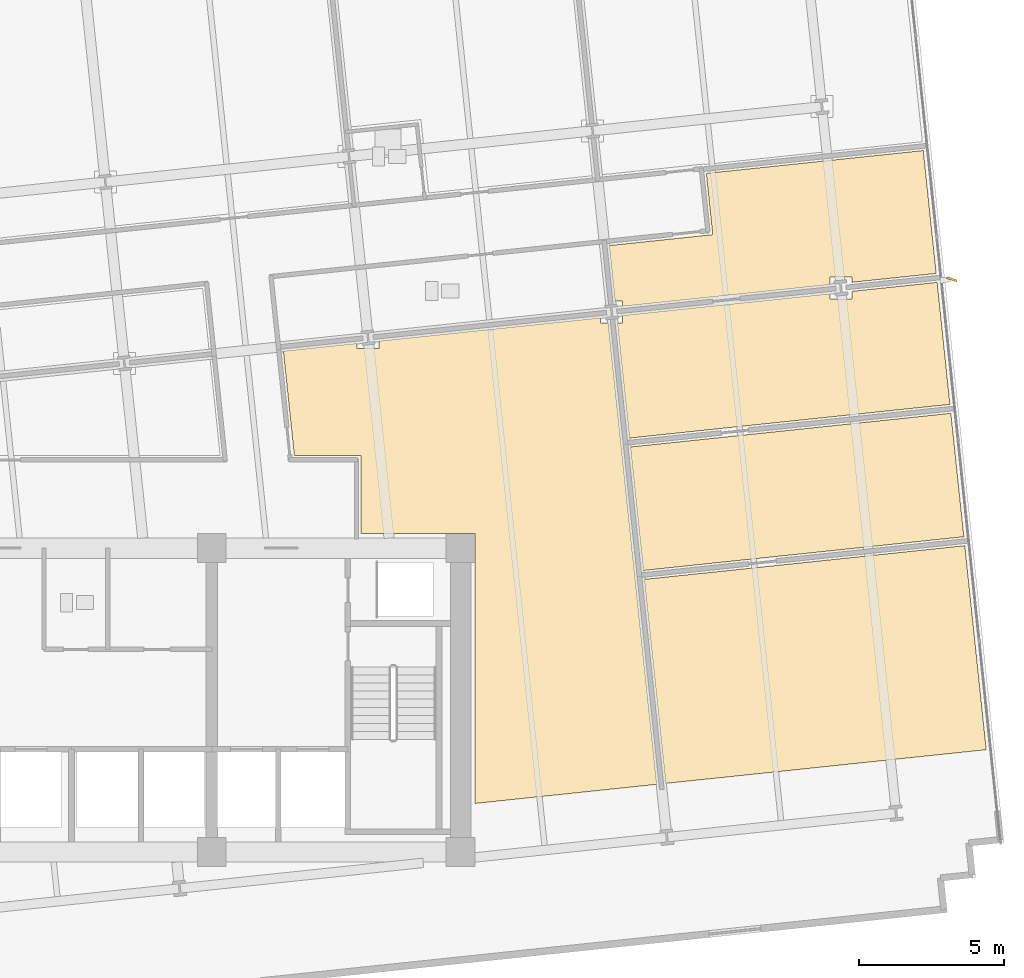
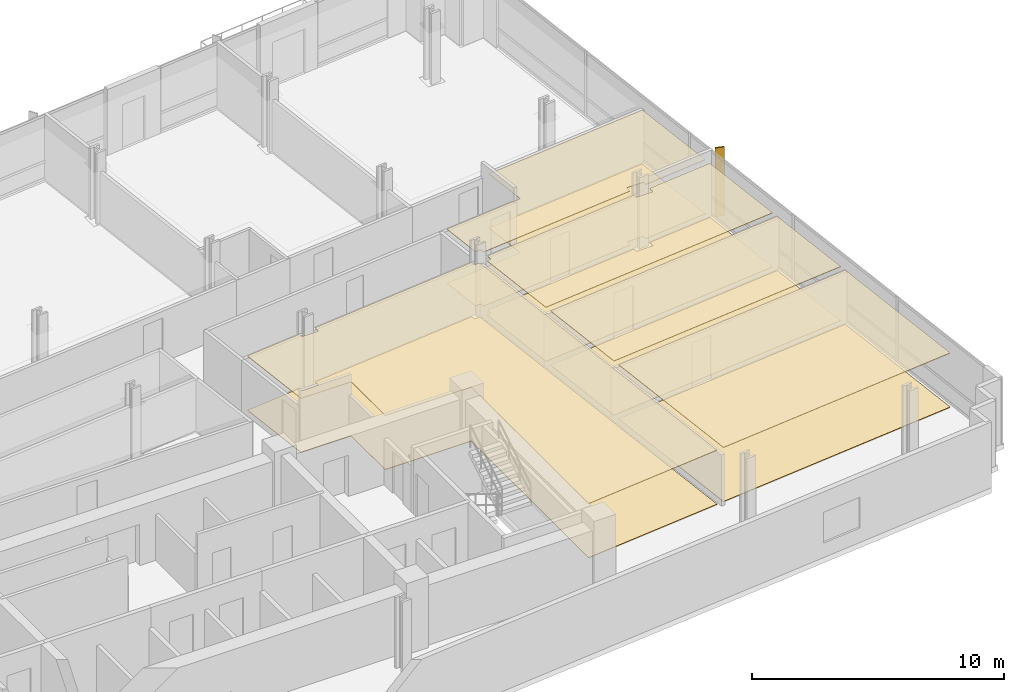
# One storey, part 18 of 21: 10 coverings, 1 shading device.
"""IFC4 building model written with IfcOpenShell, lengths in metres."""

from ifc_helpers import new_model, si_unit, direction, frame, origin, origin_2d, place, context, subcontext, project, spatial, polyline, rectangle, outline, extrude, material, layer, layer_set, type_object, element, save


model = new_model("IFC4")

# Units and contexts
model_context = context("Model", 3, precision=1e-05, world=origin(), true_north=direction((0.0, 1.0)))
body_context = subcontext(model_context, "Body", "Model", "MODEL_VIEW")
ifc_project = project(units=[si_unit("LENGTHUNIT", "METRE"), si_unit("AREAUNIT", "SQUARE_METRE"), si_unit("VOLUMEUNIT", "CUBIC_METRE"), si_unit("PLANEANGLEUNIT", "RADIAN"), si_unit("MASSUNIT", "GRAM", prefix="KILO")], contexts=[model_context])

# Site, building, storey
site_placement = place(None, origin())
site = spatial("IfcSite", under=ifc_project, at=site_placement, CompositionType="ELEMENT")
building_placement = place(site_placement, origin())
building = spatial("IfcBuilding", under=site, at=building_placement, Name="Solmavex Isthmus Hotel", CompositionType="ELEMENT")
storey_placement = place(building_placement, frame((0.0, 0.0, 106.35009765625)))
storey = spatial("IfcBuildingStorey", under=building, at=storey_placement, Name="L28", CompositionType="ELEMENT", Elevation=106.35009765625)

# Coverings
ifc_material_1 = material(Name="Gypsum plasterboard lining", Category="gypsum")
ifc_layer_1 = layer(ifc_material_1, 0.030029296875)
ifc_layer_set_1 = layer_set([ifc_layer_1], Name="Gypsum plasterboard lining")
covering_type_1 = type_object("IfcCoveringType", Name="COV-CEIL-GYP", PredefinedType="CEILING", material=ifc_layer_set_1)
covering_1_placement = place(storey_placement, frame((0.0, 0.0, 2.619873046875)))
element("IfcCovering", 1, at=covering_1_placement, inside=storey, type_object=covering_type_1, Name="Suspended Acoustic Ceiling L28-FL08", PredefinedType="CEILING", context=body_context, shape_type="SweptSolid", body=[
    extrude(outline(polyline([(28.76416015625, 6.607177734375), (28.76416015625, 6.871337890625), (29.524169921875, 6.871337890625), (29.524169921875, 6.68701171875), (32.4345703125, 6.992919921875), (31.98828125, 11.239501953125), (24.49169921875, 10.45166015625), (24.71435546875, 8.333251953125), (21.134033203125, 7.95703125), (21.335693359375, 6.038330078125), (21.599609375, 6.038330078125), (21.599609375, 5.854248046875), (28.76416015625, 6.607177734375)])), origin(), (0.0, 0.0, 1.0), 0.030029296875),
])
covering_2_placement = place(storey_placement, frame((0.0, 0.0, 2.619873046875)))
element("IfcCovering", 2, at=covering_2_placement, inside=storey, type_object=covering_type_1, Name="Suspended Acoustic Ceiling L28-FL10", PredefinedType="CEILING", context=body_context, shape_type="SweptSolid", body=[
    extrude(outline(polyline([(21.599609375, 5.54248046875), (21.599609375, 5.2783203125), (21.41552734375, 5.2783203125), (21.833251953125, 1.3037109375), (32.91015625, 2.4677734375), (32.467041015625, 6.6845703125), (29.524169921875, 6.375244140625), (29.524169921875, 6.111328125), (28.76416015625, 6.111328125), (28.76416015625, 6.29541015625), (21.599609375, 5.54248046875)])), origin(), (0.0, 0.0, 1.0), 0.030029296875),
])
covering_3_placement = place(storey_placement, frame((0.0, 0.0, 2.619873046875)))
element("IfcCovering", 3, at=covering_3_placement, inside=storey, type_object=covering_type_1, Name="Suspended Acoustic Ceiling L28-FL11", PredefinedType="CEILING", context=body_context, shape_type="SweptSolid", body=[
    extrude(outline(polyline([(32.942626953125, 2.15966796875), (21.86572265625, 0.995361328125), (22.314208984375, -3.271240234375), (33.39111328125, -2.10693359375), (32.942626953125, 2.15966796875)])), origin(), (0.0, 0.0, 1.0), 0.030029296875),
])
covering_4_placement = place(storey_placement, frame((0.0, 0.0, 2.619873046875)))
element("IfcCovering", 4, at=covering_4_placement, inside=storey, type_object=covering_type_1, Name="Suspended Acoustic Ceiling L28-FL14", PredefinedType="CEILING", context=body_context, shape_type="SweptSolid", body=[
    extrude(outline(polyline([(33.423583984375, -2.415283203125), (22.346435546875, -3.579345703125), (23.087646484375, -10.630615234375), (34.16455078125, -9.46630859375), (33.423583984375, -2.415283203125)])), origin(), (0.0, 0.0, 1.0), 0.030029296875),
])
covering_5_placement = place(storey_placement, frame((0.0, 0.0, 2.619873046875)))
element("IfcCovering", 5, at=covering_5_placement, inside=storey, type_object=covering_type_1, Name="Suspended Acoustic Ceiling L28-FL15", PredefinedType="CEILING", context=body_context, shape_type="SweptSolid", body=[
    extrude(outline(polyline([(13.18017578125, 4.657470703125), (13.18017578125, 4.393310546875), (12.420166015625, 4.393310546875), (12.420166015625, 4.57763671875), (9.87451171875, 4.31005859375), (10.25341796875, 0.705078125), (12.554931640625, 0.705078125), (12.554931640625, -1.9951171875), (16.5048828125, -1.9951171875), (16.5048828125, -11.322509765625), (22.779296875, -10.6630859375), (21.103759765625, 5.2783203125), (20.83984375, 5.2783203125), (20.83984375, 5.462646484375), (13.18017578125, 4.657470703125)])), origin(), (0.0, 0.0, 1.0), 0.030029296875),
])
ifc_material_2 = material(Name="Travertine natural stone", Category="masonry")
ifc_layer_2 = layer(ifc_material_2, 0.02490234375)
ifc_layer_set_2 = layer_set([ifc_layer_2], Name="Travertine natural stone")
covering_type_2 = type_object("IfcCoveringType", Name="COV-FLOR-STN", PredefinedType="FLOORING", material=ifc_layer_set_2)
covering_6_placement = place(storey_placement, origin())
element("IfcCovering", 6, at=covering_6_placement, inside=storey, type_object=covering_type_2, Name="Stone and Timber Floor Finish L28-FL08", PredefinedType="FLOORING", context=body_context, shape_type="SweptSolid", body=[
    extrude(outline(polyline([(28.76416015625, 6.607177734375), (28.76416015625, 6.871337890625), (29.524169921875, 6.871337890625), (29.524169921875, 6.68701171875), (32.4345703125, 6.992919921875), (31.98828125, 11.239501953125), (24.49169921875, 10.45166015625), (24.71435546875, 8.333251953125), (21.134033203125, 7.95703125), (21.335693359375, 6.038330078125), (21.599609375, 6.038330078125), (21.599609375, 5.854248046875), (28.76416015625, 6.607177734375)])), origin(), (0.0, 0.0, 1.0), 0.02490234375),
])
covering_7_placement = place(storey_placement, origin())
element("IfcCovering", 7, at=covering_7_placement, inside=storey, type_object=covering_type_2, Name="Stone and Timber Floor Finish L28-FL10", PredefinedType="FLOORING", context=body_context, shape_type="SweptSolid", body=[
    extrude(outline(polyline([(21.599609375, 5.54248046875), (21.599609375, 5.2783203125), (21.41552734375, 5.2783203125), (21.833251953125, 1.3037109375), (32.91015625, 2.4677734375), (32.467041015625, 6.6845703125), (29.524169921875, 6.375244140625), (29.524169921875, 6.111328125), (28.76416015625, 6.111328125), (28.76416015625, 6.29541015625), (21.599609375, 5.54248046875)])), origin(), (0.0, 0.0, 1.0), 0.02490234375),
])
covering_8_placement = place(storey_placement, origin())
element("IfcCovering", 8, at=covering_8_placement, inside=storey, type_object=covering_type_2, Name="Stone and Timber Floor Finish L28-FL11", PredefinedType="FLOORING", context=body_context, shape_type="SweptSolid", body=[
    extrude(outline(polyline([(32.942626953125, 2.15966796875), (21.86572265625, 0.995361328125), (22.314208984375, -3.271240234375), (33.39111328125, -2.10693359375), (32.942626953125, 2.15966796875)])), origin(), (0.0, 0.0, 1.0), 0.02490234375),
])
covering_9_placement = place(storey_placement, origin())
element("IfcCovering", 9, at=covering_9_placement, inside=storey, type_object=covering_type_2, Name="Stone and Timber Floor Finish L28-FL14", PredefinedType="FLOORING", context=body_context, shape_type="SweptSolid", body=[
    extrude(outline(polyline([(33.423583984375, -2.415283203125), (22.346435546875, -3.579345703125), (23.087646484375, -10.630615234375), (34.16455078125, -9.46630859375), (33.423583984375, -2.415283203125)])), origin(), (0.0, 0.0, 1.0), 0.02490234375),
])
covering_10_placement = place(storey_placement, origin())
element("IfcCovering", 10, at=covering_10_placement, inside=storey, type_object=covering_type_2, Name="Stone and Timber Floor Finish L28-FL15", PredefinedType="FLOORING", context=body_context, shape_type="SweptSolid", body=[
    extrude(outline(polyline([(13.18017578125, 4.657470703125), (13.18017578125, 4.393310546875), (12.420166015625, 4.393310546875), (12.420166015625, 4.57763671875), (9.87451171875, 4.31005859375), (10.25341796875, 0.705078125), (12.554931640625, 0.705078125), (12.554931640625, -1.9951171875), (16.5048828125, -1.9951171875), (16.5048828125, -11.322509765625), (22.779296875, -10.6630859375), (21.103759765625, 5.2783203125), (20.83984375, 5.2783203125), (20.83984375, 5.462646484375), (13.18017578125, 4.657470703125)])), origin(), (0.0, 0.0, 1.0), 0.02490234375),
])

# Shading device
ifc_material_3 = material(Name="Aluminium alloy 6063-T6", Category="aluminium")
shading_device_type = type_object("IfcShadingDeviceType", Name="SHD-FIN-CHAMP", PredefinedType="USERDEFINED", material=ifc_material_3)
shading_device_placement = place(storey_placement, frame((32.973388671875, 6.793212890625, -0.14013671875), z_axis=(0.0, 0.0, 1.0), x_axis=(0.951056516295, -0.309016994375, 0.0)))
element("IfcShadingDevice", 11, at=shading_device_placement, inside=storey, type_object=shading_device_type, Name="Anodised Aluminium Solar Fin L28-E1", ObjectType="SOLAR_FIN", PredefinedType="USERDEFINED", context=body_context, shape_type="SweptSolid", body=[
    extrude(rectangle(XDim=0.3798828125, YDim=0.070068359375, at=origin_2d()), origin(), (0.0, 0.0, 1.0), 3.330078125),
])

save(model, "model.ifc")
